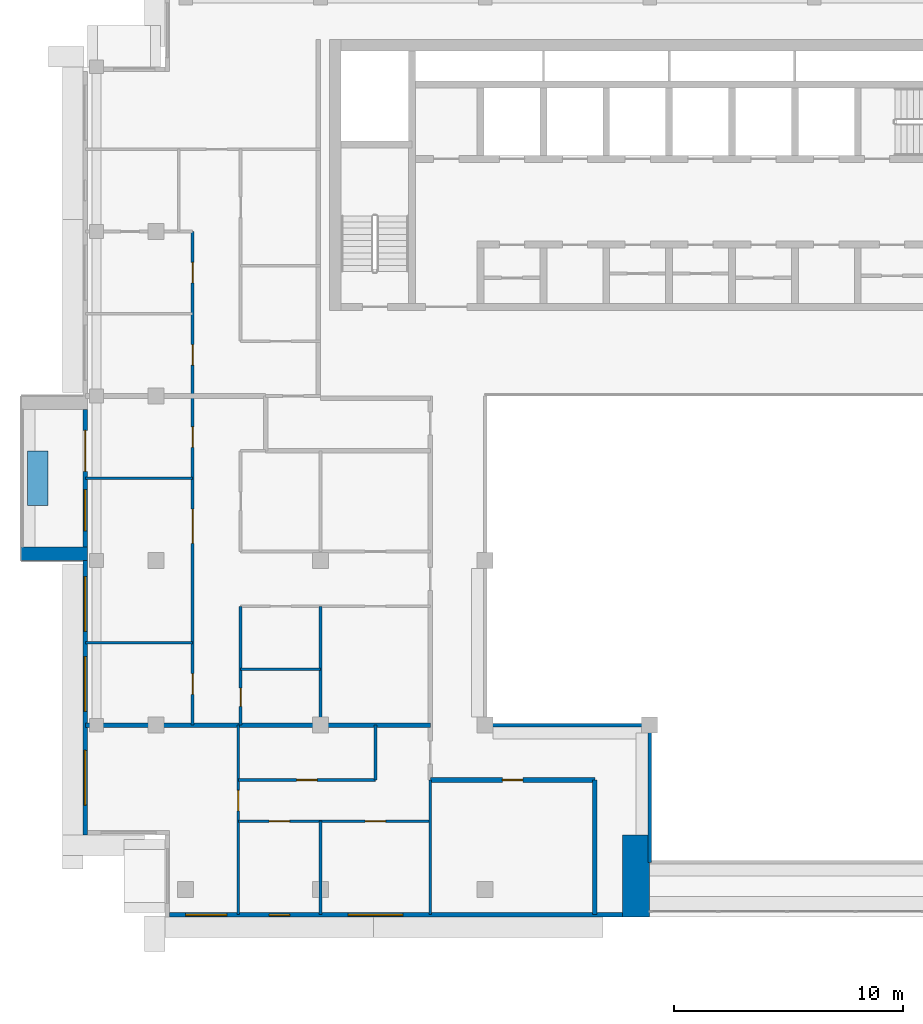
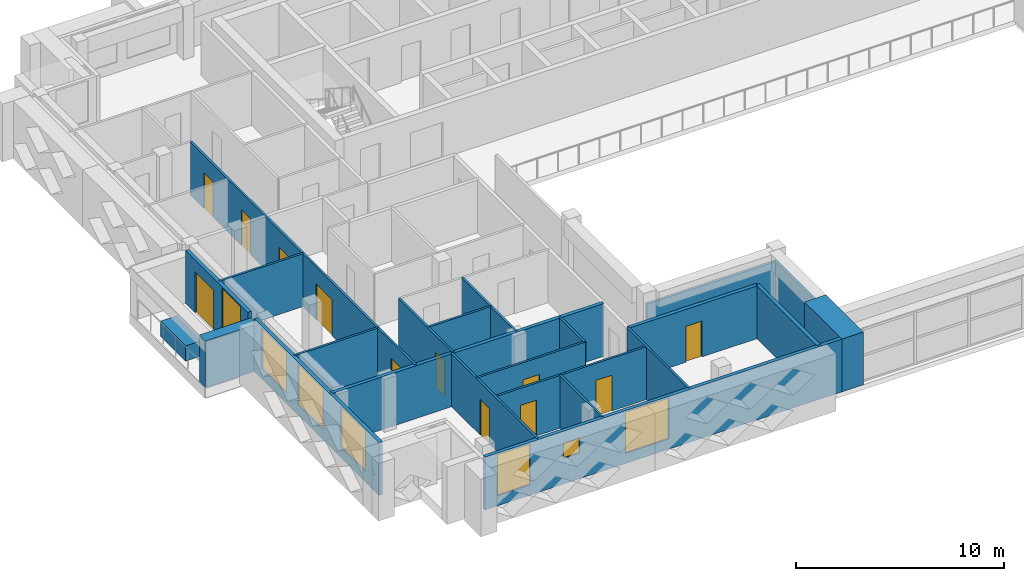
# One storey, part 6 of 19: 23 walls, 12 doors, 7 windows, 19 openings.
"""IFC4 building model written with IfcOpenShell, lengths in metres."""

from ifc_helpers import new_model, si_unit, direction, frame, frame_2d, origin, place, context, subcontext, project, spatial, rectangle, extrude, material, layer, layer_set, type_object, element, fill, save


model = new_model("IFC4")

# Units and contexts
model_context = context("Model", 3, precision=1e-05, world=origin(), true_north=direction((0.0, 1.0)))
body_context = subcontext(model_context, "Body", "Model", "MODEL_VIEW")
ifc_project = project(units=[si_unit("LENGTHUNIT", "METRE"), si_unit("AREAUNIT", "SQUARE_METRE"), si_unit("VOLUMEUNIT", "CUBIC_METRE"), si_unit("PLANEANGLEUNIT", "RADIAN"), si_unit("MASSUNIT", "GRAM", prefix="KILO")], contexts=[model_context])

# Site, building, storey
site_placement = place(None, origin())
site = spatial("IfcSite", under=ifc_project, at=site_placement, CompositionType="ELEMENT")
building_placement = place(site_placement, origin())
building = spatial("IfcBuilding", under=site, at=building_placement, Name="Saffron Iwan Residences", CompositionType="ELEMENT")
storey_placement = place(building_placement, frame((0.0, 0.0, 267.5)))
storey = spatial("IfcBuildingStorey", under=building, at=storey_placement, Name="L72", CompositionType="ELEMENT", Elevation=267.5)

# Walls
ifc_material_1 = material(Name="Fire-rated glazing", Category="glass")
ifc_layer_1 = layer(ifc_material_1, 0.14990234375)
ifc_layer_set_1 = layer_set([ifc_layer_1], Name="Fire-rated glazing")
wall_type_1 = type_object("IfcWallType", Name="Atrium glazed screen 150", PredefinedType="SOLIDWALL", material=ifc_layer_set_1)
wall_1_placement = place(storey_placement, frame((36.0, 48.0, 0.0), z_axis=(0.0, 0.0, 1.0), x_axis=(1.0, 0.0, 0.0)))
element("IfcWall", 1, at=wall_1_placement, inside=storey, type_object=wall_type_1, Name="W-L72-SCREEN-h48-36", PredefinedType="SOLIDWALL", context=body_context, shape_type="SweptSolid", body=[
    extrude(rectangle(XDim=7.199951171875, YDim=0.14990234375, at=frame_2d((3.60009765625, 0.0))), origin(), (0.0, 0.0, 1.0), 2.198974609375),
])
wall_2_placement = place(storey_placement, frame((43.199951171875, 42.0, 0.0), z_axis=(0.0, 0.0, 1.0), x_axis=(0.0, 1.0, 0.0)))
element("IfcWall", 2, at=wall_2_placement, inside=storey, type_object=wall_type_1, Name="W-L72-SCREEN-v43.2-42", PredefinedType="SOLIDWALL", context=body_context, shape_type="SweptSolid", body=[
    extrude(rectangle(XDim=6.0, YDim=0.14990234375, at=frame_2d((3.0, 0.0))), origin(), (0.0, 0.0, 1.0), 2.198974609375),
])
ifc_material_2 = material(Name="Concrete C50/60 white painted", Category="concrete")
ifc_layer_2 = layer(ifc_material_2, 0.60009765625)
ifc_layer_set_2 = layer_set([ifc_layer_2], Name="Concrete C50/60 white painted")
wall_type_2 = type_object("IfcWallType", Name="BALCONY FIN 600", PredefinedType="SOLIDWALL", material=ifc_layer_set_2)
wall_3_placement = place(storey_placement, frame((18.60009765625, 55.5, 0.0), z_axis=(0.0, 0.0, 1.0), x_axis=(-1.0, 0.0, 0.0)))
element("IfcWall", 3, at=wall_3_placement, inside=storey, type_object=wall_type_2, Name="Balcony fin L72 F8-0b", PredefinedType="SOLIDWALL", context=body_context, shape_type="SweptSolid", body=[
    extrude(rectangle(XDim=2.900146484375, YDim=0.60009765625, at=frame_2d((1.4501953125, 0.0))), origin(), (0.0, 0.0, 1.0), 2.72900390625),
])
ifc_material_3 = material(Name="Concrete C35/45 white painted", Category="concrete")
ifc_layer_3 = layer(ifc_material_3, 0.14990234375)
ifc_layer_set_3 = layer_set([ifc_layer_3], Name="Concrete C35/45 white painted")
wall_type_3 = type_object("IfcWallType", Name="BALCONY PLANTER", PredefinedType="SOLIDWALL", material=ifc_layer_set_3)
wall_4_placement = place(storey_placement, frame((16.425048828125, 60.0, 0.0), z_axis=(0.0, 0.0, 1.0), x_axis=(0.0, -1.0, 0.0)))
element("IfcWall", 4, at=wall_4_placement, inside=storey, type_object=wall_type_3, Name="PLANTER L72 F8-0", PredefinedType="SOLIDWALL", context=body_context, shape_type="SweptSolid", body=[
    extrude(rectangle(XDim=2.39990234375, YDim=0.89990234375, at=frame_2d((1.199951171875, 0.0))), origin(), (0.0, 0.0, 1.0), 0.89990234375),
])

# Wall, openings, door, window
ifc_material_4 = material(Name="Concrete C40/50", Category="concrete")
ifc_layer_4 = layer(ifc_material_4, 0.199951171875)
ifc_layer_set_4 = layer_set([ifc_layer_4], Name="Concrete C40/50")
wall_type_4 = type_object("IfcWallType", Name="EXTERNAL WALL 200", PredefinedType="SOLIDWALL", material=ifc_layer_set_4)
wall_5_placement = place(storey_placement, frame((18.5, 61.800048828125, 0.0), z_axis=(0.0, 0.0, 1.0), x_axis=(0.0, -1.0, 0.0)))
wall_5 = element("IfcWall", 5, at=wall_5_placement, inside=storey, type_object=wall_type_4, Name="External wall L72 F8.1", PredefinedType="SOLIDWALL", context=body_context, shape_type="SweptSolid", body=[
    extrude(rectangle(XDim=6.0, YDim=0.199951171875, at=frame_2d((3.0, 0.0))), origin(), (0.0, 0.0, 1.0), 3.09912109375),
])
opening_1_placement = place(wall_5_placement, frame((0.89990234375, 0.0, 0.0)))
opening_1 = element("IfcOpeningElement", 6, at=opening_1_placement, cuts=wall_5, Name="Opening BD1", PredefinedType="OPENING", context=body_context, shape_type="SweptSolid", body=[
    extrude(rectangle(XDim=1.800048828125, YDim=2.39990234375, at=frame_2d((0.89990234375, 1.199951171875))), frame((0.0, 0.10986328125, 0.0), z_axis=(0.0, -1.0, 0.0), x_axis=(1.0, 0.0, 0.0)), (0.0, 0.0, 1.0), 0.219970703125),
])
opening_2_placement = place(wall_5_placement, frame((3.5, 0.0, 0.60009765625)))
opening_2 = element("IfcOpeningElement", 7, at=opening_2_placement, cuts=wall_5, Name="Opening W8", PredefinedType="OPENING", context=body_context, shape_type="SweptSolid", body=[
    extrude(rectangle(XDim=1.800048828125, YDim=2.39990234375, at=frame_2d((0.89990234375, 1.199951171875))), frame((0.0, 0.10986328125, 0.0), z_axis=(0.0, -1.0, 0.0), x_axis=(1.0, 0.0, 0.0)), (0.0, 0.0, 1.0), 0.219970703125),
])
ifc_material_5 = material(Name="Clear glass, laminated double glazed", Category="glass")
door_type_1 = type_object("IfcDoorType", Name="BALCONY DOOR 1800 x 2400", OperationType="DOUBLE_DOOR_SLIDING", PredefinedType="DOOR", material=ifc_material_5)
door_1_placement = place(opening_1_placement, origin())
door_1 = element("IfcDoor", 8, at=door_1_placement, inside=storey, type_object=door_type_1, Name="Balcony door L72 F8.0", OperationType="DOUBLE_DOOR_SLIDING", OverallHeight=2.39990234375, OverallWidth=1.800048828125, PredefinedType="DOOR", context=body_context, shape_type="SweptSolid", body=[
    extrude(rectangle(XDim=1.800048828125, YDim=2.39990234375, at=frame_2d((0.89990234375, 1.199951171875))), frame((0.0, 0.02490234375, 0.0), z_axis=(0.0, -1.0, 0.0), x_axis=(1.0, 0.0, 0.0)), (0.0, 0.0, 1.0), 0.050048828125),
])
fill(opening_1, door_1)
window_type_1 = type_object("IfcWindowType", Name="WINDOW 1800 x 2400", PartitioningType="DOUBLE_PANEL_VERTICAL", PredefinedType="WINDOW", material=ifc_material_5)
window_1_placement = place(opening_2_placement, origin())
window_1 = element("IfcWindow", 9, at=window_1_placement, inside=storey, type_object=window_type_1, Name="Window L72 F8.1", OverallHeight=2.39990234375, OverallWidth=1.800048828125, PartitioningType="DOUBLE_PANEL_VERTICAL", PredefinedType="WINDOW", context=body_context, shape_type="SweptSolid", body=[
    extrude(rectangle(XDim=1.800048828125, YDim=2.39990234375, at=frame_2d((0.89990234375, 1.199951171875))), frame((0.0, 0.030029296875, 0.0), z_axis=(0.0, -1.0, 0.0), x_axis=(1.0, 0.0, 0.0)), (0.0, 0.0, 1.0), 0.06005859375),
])
fill(opening_2, window_1)

# Wall, openings, windows
wall_6_placement = place(storey_placement, frame((18.5, 55.199951171875, 0.0), z_axis=(0.0, 0.0, 1.0), x_axis=(0.0, -1.0, 0.0)))
wall_6 = element("IfcWall", 10, at=wall_6_placement, inside=storey, type_object=wall_type_4, Name="External wall L72 F8.2", PredefinedType="SOLIDWALL", context=body_context, shape_type="SweptSolid", body=[
    extrude(rectangle(XDim=12.0, YDim=0.199951171875, at=frame_2d((6.0, 0.0))), origin(), (0.0, 0.0, 1.0), 3.09912109375),
])
opening_3_placement = place(wall_6_placement, frame((8.300048828125, 0.0, 0.60009765625)))
opening_3 = element("IfcOpeningElement", 11, at=opening_3_placement, cuts=wall_6, Name="Opening W1", PredefinedType="OPENING", context=body_context, shape_type="SweptSolid", body=[
    extrude(rectangle(XDim=2.39990234375, YDim=2.39990234375, at=frame_2d((1.199951171875, 1.199951171875))), frame((0.0, 0.10986328125, 0.0), z_axis=(0.0, -1.0, 0.0), x_axis=(1.0, 0.0, 0.0)), (0.0, 0.0, 1.0), 0.219970703125),
])
opening_4_placement = place(wall_6_placement, frame((4.199951171875, 0.0, 0.60009765625)))
opening_4 = element("IfcOpeningElement", 12, at=opening_4_placement, cuts=wall_6, Name="Opening W1", PredefinedType="OPENING", context=body_context, shape_type="SweptSolid", body=[
    extrude(rectangle(XDim=2.39990234375, YDim=2.39990234375, at=frame_2d((1.199951171875, 1.199951171875))), frame((0.0, 0.10986328125, 0.0), z_axis=(0.0, -1.0, 0.0), x_axis=(1.0, 0.0, 0.0)), (0.0, 0.0, 1.0), 0.219970703125),
])
opening_5_placement = place(wall_6_placement, frame((0.699951171875, 0.0, 0.60009765625)))
opening_5 = element("IfcOpeningElement", 13, at=opening_5_placement, cuts=wall_6, Name="Opening W1", PredefinedType="OPENING", context=body_context, shape_type="SweptSolid", body=[
    extrude(rectangle(XDim=2.39990234375, YDim=2.39990234375, at=frame_2d((1.199951171875, 1.199951171875))), frame((0.0, 0.10986328125, 0.0), z_axis=(0.0, -1.0, 0.0), x_axis=(1.0, 0.0, 0.0)), (0.0, 0.0, 1.0), 0.219970703125),
])
window_type_2 = type_object("IfcWindowType", Name="WINDOW 2400 x 2400", PartitioningType="DOUBLE_PANEL_VERTICAL", PredefinedType="WINDOW", material=ifc_material_5)
window_2_placement = place(opening_3_placement, origin())
window_2 = element("IfcWindow", 14, at=window_2_placement, inside=storey, type_object=window_type_2, Name="Window L72 F8.0", OverallHeight=2.39990234375, OverallWidth=2.39990234375, PartitioningType="DOUBLE_PANEL_VERTICAL", PredefinedType="WINDOW", context=body_context, shape_type="SweptSolid", body=[
    extrude(rectangle(XDim=2.39990234375, YDim=2.39990234375, at=frame_2d((1.199951171875, 1.199951171875))), frame((0.0, 0.030029296875, 0.0), z_axis=(0.0, -1.0, 0.0), x_axis=(1.0, 0.0, 0.0)), (0.0, 0.0, 1.0), 0.06005859375),
])
fill(opening_3, window_2)
window_3_placement = place(opening_4_placement, origin())
window_3 = element("IfcWindow", 15, at=window_3_placement, inside=storey, type_object=window_type_2, Name="Window L72 F8.1", OverallHeight=2.39990234375, OverallWidth=2.39990234375, PartitioningType="DOUBLE_PANEL_VERTICAL", PredefinedType="WINDOW", context=body_context, shape_type="SweptSolid", body=[
    extrude(rectangle(XDim=2.39990234375, YDim=2.39990234375, at=frame_2d((1.199951171875, 1.199951171875))), frame((0.0, 0.030029296875, 0.0), z_axis=(0.0, -1.0, 0.0), x_axis=(1.0, 0.0, 0.0)), (0.0, 0.0, 1.0), 0.06005859375),
])
fill(opening_4, window_3)
window_4_placement = place(opening_5_placement, origin())
window_4 = element("IfcWindow", 16, at=window_4_placement, inside=storey, type_object=window_type_2, Name="Window L72 F8.2", OverallHeight=2.39990234375, OverallWidth=2.39990234375, PartitioningType="DOUBLE_PANEL_VERTICAL", PredefinedType="WINDOW", context=body_context, shape_type="SweptSolid", body=[
    extrude(rectangle(XDim=2.39990234375, YDim=2.39990234375, at=frame_2d((1.199951171875, 1.199951171875))), frame((0.0, 0.030029296875, 0.0), z_axis=(0.0, -1.0, 0.0), x_axis=(1.0, 0.0, 0.0)), (0.0, 0.0, 1.0), 0.06005859375),
])
fill(opening_5, window_4)

wall_7_placement = place(storey_placement, frame((22.199951171875, 39.699951171875, 0.0), z_axis=(0.0, 0.0, 1.0), x_axis=(1.0, 0.0, 0.0)))
wall_7 = element("IfcWall", 17, at=wall_7_placement, inside=storey, type_object=wall_type_4, Name="External wall L72 F11.0", PredefinedType="SOLIDWALL", context=body_context, shape_type="SweptSolid", body=[
    extrude(rectangle(XDim=19.800048828125, YDim=0.199951171875, at=frame_2d((9.89990234375, 0.0))), origin(), (0.0, 0.0, 1.0), 3.09912109375),
])
opening_6_placement = place(wall_7_placement, frame((0.699951171875, 0.0, 0.60009765625)))
opening_6 = element("IfcOpeningElement", 18, at=opening_6_placement, cuts=wall_7, Name="Opening W8", PredefinedType="OPENING", context=body_context, shape_type="SweptSolid", body=[
    extrude(rectangle(XDim=1.800048828125, YDim=2.39990234375, at=frame_2d((0.89990234375, 1.199951171875))), frame((0.0, 0.10986328125, 0.0), z_axis=(0.0, -1.0, 0.0), x_axis=(1.0, 0.0, 0.0)), (0.0, 0.0, 1.0), 0.219970703125),
])
opening_7_placement = place(wall_7_placement, frame((4.35009765625, 0.0, 1.5)))
opening_7 = element("IfcOpeningElement", 19, at=opening_7_placement, cuts=wall_7, Name="Opening W6", PredefinedType="OPENING", context=body_context, shape_type="SweptSolid", body=[
    extrude(rectangle(XDim=0.89990234375, YDim=0.89990234375, at=frame_2d((0.449951171875, 0.449951171875))), frame((0.0, 0.10986328125, 0.0), z_axis=(0.0, -1.0, 0.0), x_axis=(1.0, 0.0, 0.0)), (0.0, 0.0, 1.0), 0.219970703125),
])
opening_8_placement = place(wall_7_placement, frame((7.800048828125, 0.0, 0.60009765625)))
opening_8 = element("IfcOpeningElement", 20, at=opening_8_placement, cuts=wall_7, Name="Opening W1", PredefinedType="OPENING", context=body_context, shape_type="SweptSolid", body=[
    extrude(rectangle(XDim=2.39990234375, YDim=2.39990234375, at=frame_2d((1.199951171875, 1.199951171875))), frame((0.0, 0.10986328125, 0.0), z_axis=(0.0, -1.0, 0.0), x_axis=(1.0, 0.0, 0.0)), (0.0, 0.0, 1.0), 0.219970703125),
])
window_5_placement = place(opening_6_placement, origin())
window_5 = element("IfcWindow", 21, at=window_5_placement, inside=storey, type_object=window_type_1, Name="Window L72 F11.0", OverallHeight=2.39990234375, OverallWidth=1.800048828125, PartitioningType="DOUBLE_PANEL_VERTICAL", PredefinedType="WINDOW", context=body_context, shape_type="SweptSolid", body=[
    extrude(rectangle(XDim=1.800048828125, YDim=2.39990234375, at=frame_2d((0.89990234375, 1.199951171875))), frame((0.0, 0.030029296875, 0.0), z_axis=(0.0, -1.0, 0.0), x_axis=(1.0, 0.0, 0.0)), (0.0, 0.0, 1.0), 0.06005859375),
])
fill(opening_6, window_5)
window_6_placement = place(opening_8_placement, origin())
window_6 = element("IfcWindow", 22, at=window_6_placement, inside=storey, type_object=window_type_2, Name="Window L72 F11.2", OverallHeight=2.39990234375, OverallWidth=2.39990234375, PartitioningType="DOUBLE_PANEL_VERTICAL", PredefinedType="WINDOW", context=body_context, shape_type="SweptSolid", body=[
    extrude(rectangle(XDim=2.39990234375, YDim=2.39990234375, at=frame_2d((1.199951171875, 1.199951171875))), frame((0.0, 0.030029296875, 0.0), z_axis=(0.0, -1.0, 0.0), x_axis=(1.0, 0.0, 0.0)), (0.0, 0.0, 1.0), 0.06005859375),
])
fill(opening_8, window_6)
window_type_3 = type_object("IfcWindowType", Name="WINDOW 900 x 900 BATH", PartitioningType="SINGLE_PANEL", PredefinedType="WINDOW", material=ifc_material_5)
window_7_placement = place(opening_7_placement, origin())
window_7 = element("IfcWindow", 23, at=window_7_placement, inside=storey, type_object=window_type_3, Name="Window L72 F11.1", OverallHeight=0.89990234375, OverallWidth=0.89990234375, PartitioningType="SINGLE_PANEL", PredefinedType="WINDOW", context=body_context, shape_type="SweptSolid", body=[
    extrude(rectangle(XDim=0.89990234375, YDim=0.89990234375, at=frame_2d((0.449951171875, 0.449951171875))), frame((0.0, 0.030029296875, 0.0), z_axis=(0.0, -1.0, 0.0), x_axis=(1.0, 0.0, 0.0)), (0.0, 0.0, 1.0), 0.06005859375),
])
fill(opening_7, window_7)

# Wall
ifc_material_6 = material(Name="Fire-rated gypsum board wall")
ifc_layer_5 = layer(ifc_material_6, 0.199951171875)
ifc_layer_set_5 = layer_set([ifc_layer_5], Name="Fire-rated gypsum board wall")
wall_type_5 = type_object("IfcWallType", Name="Flat demising wall 200", PredefinedType="SOLIDWALL", material=ifc_layer_set_5)
wall_8_placement = place(storey_placement, frame((18.52490234375, 48.0, 0.0), z_axis=(0.0, 0.0, 1.0), x_axis=(1.0, 0.0, 0.0)))
element("IfcWall", 24, at=wall_8_placement, inside=storey, type_object=wall_type_5, Name="W-L72-DEMISE-h48-18.525", PredefinedType="SOLIDWALL", context=body_context, shape_type="SweptSolid", body=[
    extrude(rectangle(XDim=15.0751953125, YDim=0.199951171875, at=frame_2d((7.53759765625, 0.0))), origin(), (0.0, 0.0, 1.0), 3.09912109375),
])

# Wall, openings, doors
ifc_material_7 = material(Name="Gypsum board partition")
ifc_layer_6 = layer(ifc_material_7, 0.1201171875)
ifc_layer_set_6 = layer_set([ifc_layer_6], Name="Gypsum board partition")
wall_type_6 = type_object("IfcWallType", Name="Flat partition 120", PredefinedType="PARTITIONING", material=ifc_layer_set_6)
wall_9_placement = place(storey_placement, frame((25.199951171875, 43.800048828125, 0.0), z_axis=(0.0, 0.0, 1.0), x_axis=(1.0, 0.0, 0.0)))
wall_9 = element("IfcWall", 25, at=wall_9_placement, inside=storey, type_object=wall_type_6, Name="W-L72-PART-h43.8-25.2", PredefinedType="PARTITIONING", context=body_context, shape_type="SweptSolid", body=[
    extrude(rectangle(XDim=8.400146484375, YDim=0.1201171875, at=frame_2d((4.2001953125, 0.0))), origin(), (0.0, 0.0, 1.0), 3.09912109375),
])
opening_9_placement = place(wall_9_placement, frame((1.35009765625, 0.0, 0.0)))
opening_9 = element("IfcOpeningElement", 26, at=opening_9_placement, cuts=wall_9, Name="Opening FD2", PredefinedType="OPENING", context=body_context, shape_type="SweptSolid", body=[
    extrude(rectangle(XDim=0.89990234375, YDim=2.10009765625, at=frame_2d((0.449951171875, 1.050048828125))), frame((0.0, 0.070068359375, 0.0), z_axis=(0.0, -1.0, 0.0), x_axis=(1.0, 0.0, 0.0)), (0.0, 0.0, 1.0), 0.14013671875),
])
opening_10_placement = place(wall_9_placement, frame((5.550048828125, 0.0, 0.0)))
opening_10 = element("IfcOpeningElement", 27, at=opening_10_placement, cuts=wall_9, Name="Opening FD2", PredefinedType="OPENING", context=body_context, shape_type="SweptSolid", body=[
    extrude(rectangle(XDim=0.89990234375, YDim=2.10009765625, at=frame_2d((0.449951171875, 1.050048828125))), frame((0.0, 0.070068359375, 0.0), z_axis=(0.0, -1.0, 0.0), x_axis=(1.0, 0.0, 0.0)), (0.0, 0.0, 1.0), 0.14013671875),
])
ifc_material_8 = material(Name="Timber door", Category="wood")
door_type_2 = type_object("IfcDoorType", Name="Flat door 900", OperationType="NOTDEFINED", PredefinedType="DOOR", material=ifc_material_8)
door_2_placement = place(opening_9_placement, origin())
door_2 = element("IfcDoor", 28, at=door_2_placement, inside=storey, type_object=door_type_2, Name="Door L72-003", OperationType="SINGLE_SWING_LEFT", OverallHeight=2.10009765625, OverallWidth=0.89990234375, PredefinedType="DOOR", context=body_context, shape_type="SweptSolid", body=[
    extrude(rectangle(XDim=0.89990234375, YDim=2.10009765625, at=frame_2d((0.449951171875, 1.050048828125))), frame((0.0, 0.02490234375, 0.0), z_axis=(0.0, -1.0, 0.0), x_axis=(1.0, 0.0, 0.0)), (0.0, 0.0, 1.0), 0.050048828125),
])
fill(opening_9, door_2)
door_3_placement = place(opening_10_placement, origin())
door_3 = element("IfcDoor", 29, at=door_3_placement, inside=storey, type_object=door_type_2, Name="Door L72-004", OperationType="SINGLE_SWING_RIGHT", OverallHeight=2.10009765625, OverallWidth=0.89990234375, PredefinedType="DOOR", context=body_context, shape_type="SweptSolid", body=[
    extrude(rectangle(XDim=0.89990234375, YDim=2.10009765625, at=frame_2d((0.449951171875, 1.050048828125))), frame((0.0, 0.02490234375, 0.0), z_axis=(0.0, -1.0, 0.0), x_axis=(1.0, 0.0, 0.0)), (0.0, 0.0, 1.0), 0.050048828125),
])
fill(opening_10, door_3)

# Wall, opening, door
wall_10_placement = place(storey_placement, frame((25.199951171875, 45.60009765625, 0.0), z_axis=(0.0, 0.0, 1.0), x_axis=(1.0, 0.0, 0.0)))
wall_10 = element("IfcWall", 30, at=wall_10_placement, inside=storey, type_object=wall_type_6, Name="W-L72-PART-h45.6-25.2", PredefinedType="PARTITIONING", context=body_context, shape_type="SweptSolid", body=[
    extrude(rectangle(XDim=6.0, YDim=0.1201171875, at=frame_2d((3.0, 0.0))), origin(), (0.0, 0.0, 1.0), 3.09912109375),
])
opening_11_placement = place(wall_10_placement, frame((2.550048828125, 0.0, 0.0)))
opening_11 = element("IfcOpeningElement", 31, at=opening_11_placement, cuts=wall_10, Name="Opening FD2", PredefinedType="OPENING", context=body_context, shape_type="SweptSolid", body=[
    extrude(rectangle(XDim=0.89990234375, YDim=2.10009765625, at=frame_2d((0.449951171875, 1.050048828125))), frame((0.0, 0.070068359375, 0.0), z_axis=(0.0, -1.0, 0.0), x_axis=(1.0, 0.0, 0.0)), (0.0, 0.0, 1.0), 0.14013671875),
])
door_4_placement = place(opening_11_placement, origin())
door_4 = element("IfcDoor", 32, at=door_4_placement, inside=storey, type_object=door_type_2, Name="Door L72-005", OperationType="SINGLE_SWING_LEFT", OverallHeight=2.10009765625, OverallWidth=0.89990234375, PredefinedType="DOOR", context=body_context, shape_type="SweptSolid", body=[
    extrude(rectangle(XDim=0.89990234375, YDim=2.10009765625, at=frame_2d((0.449951171875, 1.050048828125))), frame((0.0, 0.02490234375, 0.0), z_axis=(0.0, -1.0, 0.0), x_axis=(1.0, 0.0, 0.0)), (0.0, 0.0, 1.0), 0.050048828125),
])
fill(opening_11, door_4)

# Walls
wall_11_placement = place(storey_placement, frame((25.300048828125, 50.449951171875, 0.0), z_axis=(0.0, 0.0, 1.0), x_axis=(1.0, 0.0, 0.0)))
element("IfcWall", 33, at=wall_11_placement, inside=storey, type_object=wall_type_6, Name="W-L72-PART-h50.45-25.3", PredefinedType="PARTITIONING", context=body_context, shape_type="SweptSolid", body=[
    extrude(rectangle(XDim=3.5, YDim=0.1201171875, at=frame_2d((1.75, 0.0))), origin(), (0.0, 0.0, 1.0), 3.09912109375),
])
for number, where, z_axis, x_axis, name in (
    (34, (18.52490234375, 51.60009765625, 0.0), (0.0, 0.0, 1.0), (1.0, 0.0, 0.0), "W-L72-PART-h51.6-18.525"),
    (35, (18.52490234375, 58.800048828125, 0.0), (0.0, 0.0, 1.0), (1.0, 0.0, 0.0), "W-L72-PART-h58.8-18.525"),
):
    element("IfcWall", number, at=place(storey_placement, frame(where, z_axis=z_axis, x_axis=x_axis)), inside=storey, type_object=wall_type_6, Name=name, PredefinedType="PARTITIONING", context=body_context, shape_type="SweptSolid", body=[
        extrude(rectangle(XDim=4.675048828125, YDim=0.1201171875, at=frame_2d((2.33740234375, 0.0))), origin(), (0.0, 0.0, 1.0), 3.09912109375),
    ])

# Wall, openings, doors
wall_12_placement = place(storey_placement, frame((23.199951171875, 48.0, 0.0), z_axis=(0.0, 0.0, 1.0), x_axis=(0.0, 1.0, 0.0)))
wall_12 = element("IfcWall", 36, at=wall_12_placement, inside=storey, type_object=wall_type_6, Name="W-L72-PART-v23.2-48", PredefinedType="PARTITIONING", context=body_context, shape_type="SweptSolid", body=[
    extrude(rectangle(XDim=21.60009765625, YDim=0.1201171875, at=frame_2d((10.800048828125, 0.0))), origin(), (0.0, 0.0, 1.0), 3.09912109375),
])
opening_12_placement = place(wall_12_placement, frame((1.35009765625, 0.0, 0.0)))
opening_12 = element("IfcOpeningElement", 37, at=opening_12_placement, cuts=wall_12, Name="Opening FD2", PredefinedType="OPENING", context=body_context, shape_type="SweptSolid", body=[
    extrude(rectangle(XDim=0.89990234375, YDim=2.10009765625, at=frame_2d((0.449951171875, 1.050048828125))), frame((0.0, 0.070068359375, 0.0), z_axis=(0.0, -1.0, 0.0), x_axis=(1.0, 0.0, 0.0)), (0.0, 0.0, 1.0), 0.14013671875),
])
opening_13_placement = place(wall_12_placement, frame((7.949951171875, 0.0, 0.0)))
opening_13 = element("IfcOpeningElement", 38, at=opening_13_placement, cuts=wall_12, Name="Opening FD4", PredefinedType="OPENING", context=body_context, shape_type="SweptSolid", body=[
    extrude(rectangle(XDim=1.5, YDim=2.10009765625, at=frame_2d((0.75, 1.050048828125))), frame((0.0, 0.070068359375, 0.0), z_axis=(0.0, -1.0, 0.0), x_axis=(1.0, 0.0, 0.0)), (0.0, 0.0, 1.0), 0.14013671875),
])
opening_14_placement = place(wall_12_placement, frame((12.14990234375, 0.0, 0.0)))
opening_14 = element("IfcOpeningElement", 39, at=opening_14_placement, cuts=wall_12, Name="Opening FD2", PredefinedType="OPENING", context=body_context, shape_type="SweptSolid", body=[
    extrude(rectangle(XDim=0.89990234375, YDim=2.10009765625, at=frame_2d((0.449951171875, 1.050048828125))), frame((0.0, 0.070068359375, 0.0), z_axis=(0.0, -1.0, 0.0), x_axis=(1.0, 0.0, 0.0)), (0.0, 0.0, 1.0), 0.14013671875),
])
opening_15_placement = place(wall_12_placement, frame((15.75, 0.0, 0.0)))
opening_15 = element("IfcOpeningElement", 40, at=opening_15_placement, cuts=wall_12, Name="Opening FD2", PredefinedType="OPENING", context=body_context, shape_type="SweptSolid", body=[
    extrude(rectangle(XDim=0.89990234375, YDim=2.10009765625, at=frame_2d((0.449951171875, 1.050048828125))), frame((0.0, 0.070068359375, 0.0), z_axis=(0.0, -1.0, 0.0), x_axis=(1.0, 0.0, 0.0)), (0.0, 0.0, 1.0), 0.14013671875),
])
opening_16_placement = place(wall_12_placement, frame((19.35009765625, 0.0, 0.0)))
opening_16 = element("IfcOpeningElement", 41, at=opening_16_placement, cuts=wall_12, Name="Opening FD2", PredefinedType="OPENING", context=body_context, shape_type="SweptSolid", body=[
    extrude(rectangle(XDim=0.89990234375, YDim=2.10009765625, at=frame_2d((0.449951171875, 1.050048828125))), frame((0.0, 0.070068359375, 0.0), z_axis=(0.0, -1.0, 0.0), x_axis=(1.0, 0.0, 0.0)), (0.0, 0.0, 1.0), 0.14013671875),
])
door_type_3 = type_object("IfcDoorType", Name="Double door 1500", OperationType="NOTDEFINED", PredefinedType="DOOR", material=ifc_material_8)
door_5_placement = place(opening_13_placement, origin())
door_5 = element("IfcDoor", 42, at=door_5_placement, inside=storey, type_object=door_type_3, Name="Door L72-009", OperationType="SINGLE_SWING_RIGHT", OverallHeight=2.10009765625, OverallWidth=1.5, PredefinedType="DOOR", context=body_context, shape_type="SweptSolid", body=[
    extrude(rectangle(XDim=1.5, YDim=2.10009765625, at=frame_2d((0.75, 1.050048828125))), frame((0.0, 0.02490234375, 0.0), z_axis=(0.0, -1.0, 0.0), x_axis=(1.0, 0.0, 0.0)), (0.0, 0.0, 1.0), 0.050048828125),
])
fill(opening_13, door_5)
door_6_placement = place(opening_12_placement, origin())
door_6 = element("IfcDoor", 43, at=door_6_placement, inside=storey, type_object=door_type_2, Name="Door L72-008", OperationType="SINGLE_SWING_LEFT", OverallHeight=2.10009765625, OverallWidth=0.89990234375, PredefinedType="DOOR", context=body_context, shape_type="SweptSolid", body=[
    extrude(rectangle(XDim=0.89990234375, YDim=2.10009765625, at=frame_2d((0.449951171875, 1.050048828125))), frame((0.0, 0.02490234375, 0.0), z_axis=(0.0, -1.0, 0.0), x_axis=(1.0, 0.0, 0.0)), (0.0, 0.0, 1.0), 0.050048828125),
])
fill(opening_12, door_6)
door_7_placement = place(opening_14_placement, origin())
door_7 = element("IfcDoor", 44, at=door_7_placement, inside=storey, type_object=door_type_2, Name="Door L72-010", OperationType="SINGLE_SWING_RIGHT", OverallHeight=2.10009765625, OverallWidth=0.89990234375, PredefinedType="DOOR", context=body_context, shape_type="SweptSolid", body=[
    extrude(rectangle(XDim=0.89990234375, YDim=2.10009765625, at=frame_2d((0.449951171875, 1.050048828125))), frame((0.0, 0.02490234375, 0.0), z_axis=(0.0, -1.0, 0.0), x_axis=(1.0, 0.0, 0.0)), (0.0, 0.0, 1.0), 0.050048828125),
])
fill(opening_14, door_7)
door_8_placement = place(opening_15_placement, origin())
door_8 = element("IfcDoor", 45, at=door_8_placement, inside=storey, type_object=door_type_2, Name="Door L72-027", OperationType="SINGLE_SWING_LEFT", OverallHeight=2.10009765625, OverallWidth=0.89990234375, PredefinedType="DOOR", context=body_context, shape_type="SweptSolid", body=[
    extrude(rectangle(XDim=0.89990234375, YDim=2.10009765625, at=frame_2d((0.449951171875, 1.050048828125))), frame((0.0, 0.02490234375, 0.0), z_axis=(0.0, -1.0, 0.0), x_axis=(1.0, 0.0, 0.0)), (0.0, 0.0, 1.0), 0.050048828125),
])
fill(opening_15, door_8)
door_9_placement = place(opening_16_placement, origin())
door_9 = element("IfcDoor", 46, at=door_9_placement, inside=storey, type_object=door_type_2, Name="Door L72-028", OperationType="SINGLE_SWING_RIGHT", OverallHeight=2.10009765625, OverallWidth=0.89990234375, PredefinedType="DOOR", context=body_context, shape_type="SweptSolid", body=[
    extrude(rectangle(XDim=0.89990234375, YDim=2.10009765625, at=frame_2d((0.449951171875, 1.050048828125))), frame((0.0, 0.02490234375, 0.0), z_axis=(0.0, -1.0, 0.0), x_axis=(1.0, 0.0, 0.0)), (0.0, 0.0, 1.0), 0.050048828125),
])
fill(opening_16, door_9)

# Wall, opening, door
wall_13_placement = place(storey_placement, frame((25.199951171875, 39.72509765625, 0.0), z_axis=(0.0, 0.0, 1.0), x_axis=(0.0, 1.0, 0.0)))
wall_13 = element("IfcWall", 47, at=wall_13_placement, inside=storey, type_object=wall_type_6, Name="W-L72-PART-v25.2-39.725", PredefinedType="PARTITIONING", context=body_context, shape_type="SweptSolid", body=[
    extrude(rectangle(XDim=8.27490234375, YDim=0.1201171875, at=frame_2d((4.137451171875, 0.0))), origin(), (0.0, 0.0, 1.0), 3.09912109375),
])
opening_17_placement = place(wall_13_placement, frame((4.52490234375, 0.0, 0.0)))
opening_17 = element("IfcOpeningElement", 48, at=opening_17_placement, cuts=wall_13, Name="Opening FD2", PredefinedType="OPENING", context=body_context, shape_type="SweptSolid", body=[
    extrude(rectangle(XDim=0.89990234375, YDim=2.10009765625, at=frame_2d((0.449951171875, 1.050048828125))), frame((0.0, 0.070068359375, 0.0), z_axis=(0.0, -1.0, 0.0), x_axis=(1.0, 0.0, 0.0)), (0.0, 0.0, 1.0), 0.14013671875),
])
door_10_placement = place(opening_17_placement, origin())
door_10 = element("IfcDoor", 49, at=door_10_placement, inside=storey, type_object=door_type_2, Name="Door L72-002", OperationType="SINGLE_SWING_LEFT", OverallHeight=2.10009765625, OverallWidth=0.89990234375, PredefinedType="DOOR", context=body_context, shape_type="SweptSolid", body=[
    extrude(rectangle(XDim=0.89990234375, YDim=2.10009765625, at=frame_2d((0.449951171875, 1.050048828125))), frame((0.0, 0.02490234375, 0.0), z_axis=(0.0, -1.0, 0.0), x_axis=(1.0, 0.0, 0.0)), (0.0, 0.0, 1.0), 0.050048828125),
])
fill(opening_17, door_10)

wall_14_placement = place(storey_placement, frame((25.300048828125, 48.0, 0.0), z_axis=(0.0, 0.0, 1.0), x_axis=(0.0, 1.0, 0.0)))
wall_14 = element("IfcWall", 50, at=wall_14_placement, inside=storey, type_object=wall_type_6, Name="W-L72-PART-v25.3-48", PredefinedType="PARTITIONING", context=body_context, shape_type="SweptSolid", body=[
    extrude(rectangle(XDim=5.199951171875, YDim=0.1201171875, at=frame_2d((2.60009765625, 0.0))), origin(), (0.0, 0.0, 1.0), 3.09912109375),
])
opening_18_placement = place(wall_14_placement, frame((0.824951171875, 0.0, 0.0)))
opening_18 = element("IfcOpeningElement", 51, at=opening_18_placement, cuts=wall_14, Name="Opening FD3", PredefinedType="OPENING", context=body_context, shape_type="SweptSolid", body=[
    extrude(rectangle(XDim=0.800048828125, YDim=2.10009765625, at=frame_2d((0.39990234375, 1.050048828125))), frame((0.0, 0.070068359375, 0.0), z_axis=(0.0, -1.0, 0.0), x_axis=(1.0, 0.0, 0.0)), (0.0, 0.0, 1.0), 0.14013671875),
])
door_type_4 = type_object("IfcDoorType", Name="Bathroom door 800", OperationType="NOTDEFINED", PredefinedType="DOOR", material=ifc_material_8)
door_11_placement = place(opening_18_placement, origin())
door_11 = element("IfcDoor", 52, at=door_11_placement, inside=storey, type_object=door_type_4, Name="Door L72-011", OperationType="SINGLE_SWING_LEFT", OverallHeight=2.10009765625, OverallWidth=0.800048828125, PredefinedType="DOOR", context=body_context, shape_type="SweptSolid", body=[
    extrude(rectangle(XDim=0.800048828125, YDim=2.10009765625, at=frame_2d((0.39990234375, 1.050048828125))), frame((0.0, 0.02490234375, 0.0), z_axis=(0.0, -1.0, 0.0), x_axis=(1.0, 0.0, 0.0)), (0.0, 0.0, 1.0), 0.050048828125),
])
fill(opening_18, door_11)

# Walls
wall_15_placement = place(storey_placement, frame((28.800048828125, 39.72509765625, 0.0), z_axis=(0.0, 0.0, 1.0), x_axis=(0.0, 1.0, 0.0)))
element("IfcWall", 53, at=wall_15_placement, inside=storey, type_object=wall_type_6, Name="W-L72-PART-v28.8-39.725", PredefinedType="PARTITIONING", context=body_context, shape_type="SweptSolid", body=[
    extrude(rectangle(XDim=4.074951171875, YDim=0.1201171875, at=frame_2d((2.03759765625, 0.0))), origin(), (0.0, 0.0, 1.0), 3.09912109375),
])
wall_16_placement = place(storey_placement, frame((28.800048828125, 48.0, 0.0), z_axis=(0.0, 0.0, 1.0), x_axis=(0.0, 1.0, 0.0)))
element("IfcWall", 54, at=wall_16_placement, inside=storey, type_object=wall_type_6, Name="W-L72-PART-v28.8-48", PredefinedType="PARTITIONING", context=body_context, shape_type="SweptSolid", body=[
    extrude(rectangle(XDim=5.199951171875, YDim=0.1201171875, at=frame_2d((2.60009765625, 0.0))), origin(), (0.0, 0.0, 1.0), 3.09912109375),
])
wall_17_placement = place(storey_placement, frame((31.199951171875, 45.60009765625, 0.0), z_axis=(0.0, 0.0, 1.0), x_axis=(0.0, 1.0, 0.0)))
element("IfcWall", 55, at=wall_17_placement, inside=storey, type_object=wall_type_6, Name="W-L72-PART-v31.2-45.6", PredefinedType="PARTITIONING", context=body_context, shape_type="SweptSolid", body=[
    extrude(rectangle(XDim=2.39990234375, YDim=0.1201171875, at=frame_2d((1.199951171875, 0.0))), origin(), (0.0, 0.0, 1.0), 3.09912109375),
])
wall_18_placement = place(storey_placement, frame((33.60009765625, 39.72509765625, 0.0), z_axis=(0.0, 0.0, 1.0), x_axis=(0.0, 1.0, 0.0)))
element("IfcWall", 56, at=wall_18_placement, inside=storey, type_object=wall_type_6, Name="W-L72-PART-v33.6-39.725", PredefinedType="PARTITIONING", context=body_context, shape_type="SweptSolid", body=[
    extrude(rectangle(XDim=5.875, YDim=0.1201171875, at=frame_2d((2.9375, 0.0))), origin(), (0.0, 0.0, 1.0), 3.09912109375),
])

# Wall, opening, door
ifc_layer_7 = layer(ifc_material_6, 0.199951171875)
ifc_layer_set_7 = layer_set([ifc_layer_7], Name="Fire-rated gypsum board wall")
wall_type_7 = type_object("IfcWallType", Name="Gallery wall 200", PredefinedType="SOLIDWALL", material=ifc_layer_set_7)
wall_19_placement = place(storey_placement, frame((33.60009765625, 45.60009765625, 0.0), z_axis=(0.0, 0.0, 1.0), x_axis=(1.0, 0.0, 0.0)))
wall_19 = element("IfcWall", 57, at=wall_19_placement, inside=storey, type_object=wall_type_7, Name="W-L72-CORR-h45.6-33.6", PredefinedType="SOLIDWALL", context=body_context, shape_type="SweptSolid", body=[
    extrude(rectangle(XDim=7.199951171875, YDim=0.199951171875, at=frame_2d((3.60009765625, 0.0))), origin(), (0.0, 0.0, 1.0), 3.09912109375),
])
opening_19_placement = place(wall_19_placement, frame((3.14990234375, 0.0, 0.0)))
opening_19 = element("IfcOpeningElement", 58, at=opening_19_placement, cuts=wall_19, Name="Opening FD2", PredefinedType="OPENING", context=body_context, shape_type="SweptSolid", body=[
    extrude(rectangle(XDim=0.89990234375, YDim=2.10009765625, at=frame_2d((0.449951171875, 1.050048828125))), frame((0.0, 0.10986328125, 0.0), z_axis=(0.0, -1.0, 0.0), x_axis=(1.0, 0.0, 0.0)), (0.0, 0.0, 1.0), 0.219970703125),
])
door_12_placement = place(opening_19_placement, origin())
door_12 = element("IfcDoor", 59, at=door_12_placement, inside=storey, type_object=door_type_2, Name="Door L72-006", OperationType="SINGLE_SWING_LEFT", OverallHeight=2.10009765625, OverallWidth=0.89990234375, PredefinedType="DOOR", context=body_context, shape_type="SweptSolid", body=[
    extrude(rectangle(XDim=0.89990234375, YDim=2.10009765625, at=frame_2d((0.449951171875, 1.050048828125))), frame((0.0, 0.02490234375, 0.0), z_axis=(0.0, -1.0, 0.0), x_axis=(1.0, 0.0, 0.0)), (0.0, 0.0, 1.0), 0.050048828125),
])
fill(opening_19, door_12)

# Walls
wall_20_placement = place(storey_placement, frame((40.800048828125, 39.72509765625, 0.0), z_axis=(0.0, 0.0, 1.0), x_axis=(0.0, 1.0, 0.0)))
element("IfcWall", 60, at=wall_20_placement, inside=storey, type_object=wall_type_7, Name="W-L72-CORR-v40.8-39.725", PredefinedType="SOLIDWALL", context=body_context, shape_type="SweptSolid", body=[
    extrude(rectangle(XDim=5.875, YDim=0.199951171875, at=frame_2d((2.9375, 0.0))), origin(), (0.0, 0.0, 1.0), 3.09912109375),
])
ifc_layer_8 = layer(ifc_material_4, 1.199951171875)
ifc_layer_set_8 = layer_set([ifc_layer_8], Name="Concrete C40/50")
wall_type_8 = type_object("IfcWallType", Name="WALL IWAN PIER 1200 C40/50 3099 HIGH", PredefinedType="SHEAR", material=ifc_layer_set_8)
wall_21_placement = place(storey_placement, frame((42.60009765625, 39.60009765625, 0.0), z_axis=(0.0, 0.0, 1.0), x_axis=(0.0, 1.0, 0.0)))
element("IfcWall", 61, at=wall_21_placement, inside=storey, type_object=wall_type_8, Name="IWAN PIER", PredefinedType="SHEAR", context=body_context, shape_type="SweptSolid", body=[
    extrude(rectangle(XDim=3.599853515625, YDim=1.199951171875, at=frame_2d((1.7998046875, 0.0))), origin(), (0.0, 0.0, 1.0), 3.09912109375),
])

save(model, "model.ifc")
